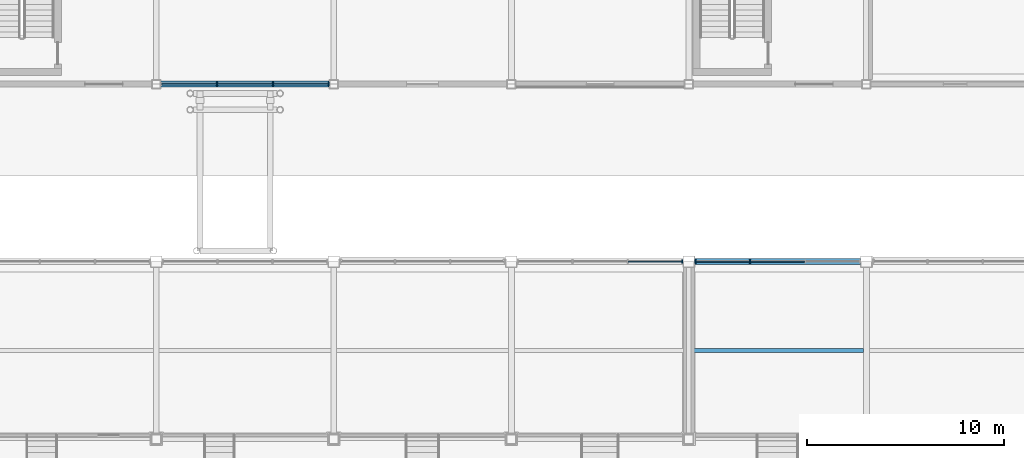
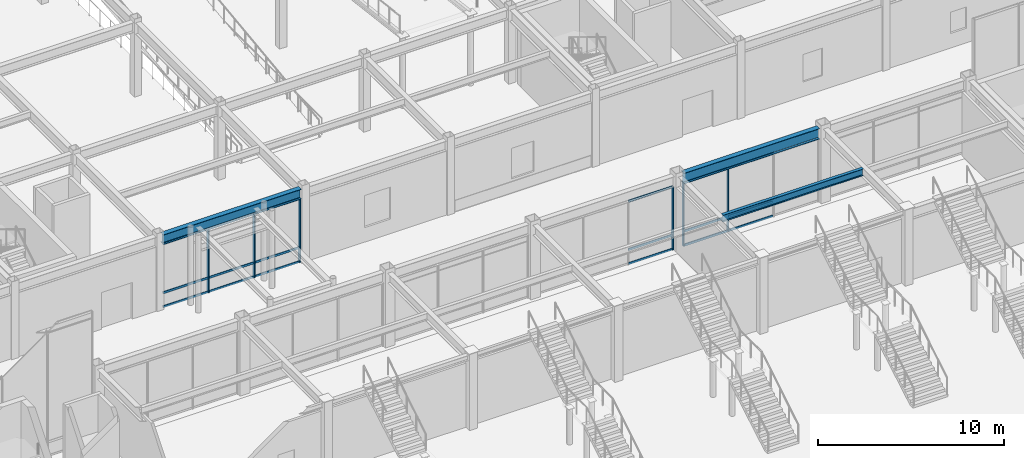
# One storey, part 47 of 123: 24 members, 3 beams, 3 elements without a shape of their own.
"""IFC4 building model written with IfcOpenShell, lengths in metres."""

from ifc_helpers import new_model, si_unit, direction, frame, origin, origin_2d, place, context, subcontext, project, spatial, rectangle, i_section, extrude, material, material_profile, profile_set, type_object, element, aggregate, save


model = new_model("IFC4")

# Units and contexts
model_context = context("Model", 3, precision=1e-05, world=origin(), true_north=direction((0.0, 1.0)))
body_context = subcontext(model_context, "Body", "Model", "MODEL_VIEW")
ifc_project = project(units=[si_unit("LENGTHUNIT", "METRE"), si_unit("AREAUNIT", "SQUARE_METRE"), si_unit("VOLUMEUNIT", "CUBIC_METRE"), si_unit("PLANEANGLEUNIT", "RADIAN"), si_unit("MASSUNIT", "GRAM", prefix="KILO")], contexts=[model_context])

# Site, building, storey
site_placement = place(None, origin())
site = spatial("IfcSite", under=ifc_project, at=site_placement, CompositionType="ELEMENT")
building_placement = place(site_placement, origin())
building = spatial("IfcBuilding", under=site, at=building_placement, Name="Suzunagisa Mobility Hub", CompositionType="ELEMENT")
storey_placement = place(building_placement, origin())
storey = spatial("IfcBuildingStorey", under=building, at=storey_placement, Name="L00", CompositionType="ELEMENT", Elevation=0.0)

# Curtain wall, members
ifc_material_1 = material(Name="Thermally Broken Anodized Aluminum and Low-E Glazing", Category="aluminium")
curtain_wall_type = type_object("IfcCurtainWallType", Name="Unitised Curtain Wall CW-32 8500x4200", PredefinedType="USERDEFINED", material=ifc_material_1)
curtain_wall_1_placement = place(storey_placement, origin())
curtain_wall_1 = element("IfcCurtainWall", 1, at=curtain_wall_1_placement, inside=storey, type_object=curtain_wall_type, Name="L00 Unitised Curtain Wall CW-37", ObjectType="UNITISED CURTAIN WALL", PredefinedType="USERDEFINED")
ifc_material_2 = material(Name="Anodized Aluminum 6063-T6", Category="aluminium")
ifc_material_profile_1 = material_profile(ifc_material_2, rectangle(XDim=0.06494140625, YDim=0.139892578125, at=origin_2d()), Name="TRAN-65x140")
ifc_profile_set_1 = profile_set([ifc_material_profile_1], Name="Anodized Aluminum 6063-T6")
member_type_1 = type_object("IfcMemberType", Name="Curtain Wall Framing CM-01 TRAN-65x140", PredefinedType="USERDEFINED", material=ifc_profile_set_1)
member_1_placement = place(storey_placement, frame((95.869384765625, 71.0, 0.032470703125), z_axis=(-1.0, 0.0, 0.0), x_axis=(0.0, -1.0, 0.0)))
member_1 = element("IfcMember", 2, at=member_1_placement, type_object=member_type_1, Name="Curtain Wall Transom 37-T2.1", ObjectType="TRANSOM", PredefinedType="USERDEFINED", context=body_context, shape_type="SweptSolid", body=[
    extrude(rectangle(XDim=0.06494140625, YDim=0.139892578125, at=origin_2d()), origin(), (0.0, 0.0, 1.0), 2.73876953125),
])
member_2_placement = place(storey_placement, frame((95.869384765625, 71.0, 0.949951171875), z_axis=(-1.0, 0.0, 0.0), x_axis=(0.0, -1.0, 0.0)))
member_2 = element("IfcMember", 3, at=member_2_placement, type_object=member_type_1, Name="Curtain Wall Transom 37-T2.2", ObjectType="TRANSOM", PredefinedType="USERDEFINED", context=body_context, shape_type="SweptSolid", body=[
    extrude(rectangle(XDim=0.06494140625, YDim=0.139892578125, at=origin_2d()), origin(), (0.0, 0.0, 1.0), 2.73876953125),
])
member_3_placement = place(storey_placement, frame((95.869384765625, 71.0, 4.117431640625), z_axis=(-1.0, 0.0, 0.0), x_axis=(0.0, -1.0, 0.0)))
member_3 = element("IfcMember", 4, at=member_3_placement, type_object=member_type_1, Name="Curtain Wall Transom 37-T2.3", ObjectType="TRANSOM", PredefinedType="USERDEFINED", context=body_context, shape_type="SweptSolid", body=[
    extrude(rectangle(XDim=0.06494140625, YDim=0.139892578125, at=origin_2d()), origin(), (0.0, 0.0, 1.0), 2.73876953125),
])
member_4_placement = place(storey_placement, frame((93.069580078125, 71.0, 0.032470703125), z_axis=(-1.0, 0.0, 0.0), x_axis=(0.0, -1.0, 0.0)))
member_4 = element("IfcMember", 5, at=member_4_placement, type_object=member_type_1, Name="Curtain Wall Transom 37-T3.1", ObjectType="TRANSOM", PredefinedType="USERDEFINED", context=body_context, shape_type="SweptSolid", body=[
    extrude(rectangle(XDim=0.06494140625, YDim=0.139892578125, at=origin_2d()), origin(), (0.0, 0.0, 1.0), 2.70654296875),
])
member_5_placement = place(storey_placement, frame((93.069580078125, 71.0, 0.949951171875), z_axis=(-1.0, 0.0, 0.0), x_axis=(0.0, -1.0, 0.0)))
member_5 = element("IfcMember", 6, at=member_5_placement, type_object=member_type_1, Name="Curtain Wall Transom 37-T3.2", ObjectType="TRANSOM", PredefinedType="USERDEFINED", context=body_context, shape_type="SweptSolid", body=[
    extrude(rectangle(XDim=0.06494140625, YDim=0.139892578125, at=origin_2d()), origin(), (0.0, 0.0, 1.0), 2.70654296875),
])
member_6_placement = place(storey_placement, frame((93.069580078125, 71.0, 4.117431640625), z_axis=(-1.0, 0.0, 0.0), x_axis=(0.0, -1.0, 0.0)))
member_6 = element("IfcMember", 7, at=member_6_placement, type_object=member_type_1, Name="Curtain Wall Transom 37-T3.3", ObjectType="TRANSOM", PredefinedType="USERDEFINED", context=body_context, shape_type="SweptSolid", body=[
    extrude(rectangle(XDim=0.06494140625, YDim=0.139892578125, at=origin_2d()), origin(), (0.0, 0.0, 1.0), 2.70654296875),
])

curtain_wall_2_placement = place(storey_placement, origin())
curtain_wall_2 = element("IfcCurtainWall", 8, at=curtain_wall_2_placement, inside=storey, type_object=curtain_wall_type, Name="L00 Unitised Curtain Wall CW-38", ObjectType="UNITISED CURTAIN WALL", PredefinedType="USERDEFINED")
member_7_placement = place(storey_placement, frame((89.636962890625, 71.0, 0.032470703125), z_axis=(-1.0, 0.0, 0.0), x_axis=(0.0, -1.0, 0.0)))
member_7 = element("IfcMember", 9, at=member_7_placement, type_object=member_type_1, Name="Curtain Wall Transom 38-T1.1", ObjectType="TRANSOM", PredefinedType="USERDEFINED", context=body_context, shape_type="SweptSolid", body=[
    extrude(rectangle(XDim=0.06494140625, YDim=0.139892578125, at=origin_2d()), origin(), (0.0, 0.0, 1.0), 2.70654296875),
])
member_8_placement = place(storey_placement, frame((89.636962890625, 71.0, 0.949951171875), z_axis=(-1.0, 0.0, 0.0), x_axis=(0.0, -1.0, 0.0)))
member_8 = element("IfcMember", 10, at=member_8_placement, type_object=member_type_1, Name="Curtain Wall Transom 38-T1.2", ObjectType="TRANSOM", PredefinedType="USERDEFINED", context=body_context, shape_type="SweptSolid", body=[
    extrude(rectangle(XDim=0.06494140625, YDim=0.139892578125, at=origin_2d()), origin(), (0.0, 0.0, 1.0), 2.70654296875),
])
member_9_placement = place(storey_placement, frame((89.636962890625, 71.0, 4.117431640625), z_axis=(-1.0, 0.0, 0.0), x_axis=(0.0, -1.0, 0.0)))
member_9 = element("IfcMember", 11, at=member_9_placement, type_object=member_type_1, Name="Curtain Wall Transom 38-T1.3", ObjectType="TRANSOM", PredefinedType="USERDEFINED", context=body_context, shape_type="SweptSolid", body=[
    extrude(rectangle(XDim=0.06494140625, YDim=0.139892578125, at=origin_2d()), origin(), (0.0, 0.0, 1.0), 2.70654296875),
])

curtain_wall_3_placement = place(storey_placement, origin())
curtain_wall_3 = element("IfcCurtainWall", 12, at=curtain_wall_3_placement, inside=storey, type_object=curtain_wall_type, Name="L00 Unitised Curtain Wall CW-91", ObjectType="UNITISED CURTAIN WALL", PredefinedType="USERDEFINED")
member_10_placement = place(storey_placement, frame((63.2880859375, 80.0, 0.032470703125), z_axis=(1.0, 0.0, 0.0), x_axis=(0.0, 1.0, 0.0)))
member_10 = element("IfcMember", 13, at=member_10_placement, type_object=member_type_1, Name="Curtain Wall Transom 91-T1.1", ObjectType="TRANSOM", PredefinedType="USERDEFINED", context=body_context, shape_type="SweptSolid", body=[
    extrude(rectangle(XDim=0.06494140625, YDim=0.139892578125, at=origin_2d()), origin(), (0.0, 0.0, 1.0), 2.75634765625),
])
member_11_placement = place(storey_placement, frame((63.2880859375, 80.0, 0.949951171875), z_axis=(1.0, 0.0, 0.0), x_axis=(0.0, 1.0, 0.0)))
member_11 = element("IfcMember", 14, at=member_11_placement, type_object=member_type_1, Name="Curtain Wall Transom 91-T1.2", ObjectType="TRANSOM", PredefinedType="USERDEFINED", context=body_context, shape_type="SweptSolid", body=[
    extrude(rectangle(XDim=0.06494140625, YDim=0.139892578125, at=origin_2d()), origin(), (0.0, 0.0, 1.0), 2.75634765625),
])
member_12_placement = place(storey_placement, frame((63.2880859375, 80.0, 4.157470703125), z_axis=(1.0, 0.0, 0.0), x_axis=(0.0, 1.0, 0.0)))
member_12 = element("IfcMember", 15, at=member_12_placement, type_object=member_type_1, Name="Curtain Wall Transom 91-T1.3", ObjectType="TRANSOM", PredefinedType="USERDEFINED", context=body_context, shape_type="SweptSolid", body=[
    extrude(rectangle(XDim=0.06494140625, YDim=0.139892578125, at=origin_2d()), origin(), (0.0, 0.0, 1.0), 2.75634765625),
])
member_13_placement = place(storey_placement, frame((66.10546875, 80.0, 0.032470703125), z_axis=(1.0, 0.0, 0.0), x_axis=(0.0, 1.0, 0.0)))
member_13 = element("IfcMember", 16, at=member_13_placement, type_object=member_type_1, Name="Curtain Wall Transom 91-T2.1", ObjectType="TRANSOM", PredefinedType="USERDEFINED", context=body_context, shape_type="SweptSolid", body=[
    extrude(rectangle(XDim=0.06494140625, YDim=0.139892578125, at=origin_2d()), origin(), (0.0, 0.0, 1.0), 2.7890625),
])
member_14_placement = place(storey_placement, frame((66.10546875, 80.0, 0.949951171875), z_axis=(1.0, 0.0, 0.0), x_axis=(0.0, 1.0, 0.0)))
member_14 = element("IfcMember", 17, at=member_14_placement, type_object=member_type_1, Name="Curtain Wall Transom 91-T2.2", ObjectType="TRANSOM", PredefinedType="USERDEFINED", context=body_context, shape_type="SweptSolid", body=[
    extrude(rectangle(XDim=0.06494140625, YDim=0.139892578125, at=origin_2d()), origin(), (0.0, 0.0, 1.0), 2.7890625),
])
member_15_placement = place(storey_placement, frame((66.10546875, 80.0, 4.157470703125), z_axis=(1.0, 0.0, 0.0), x_axis=(0.0, 1.0, 0.0)))
member_15 = element("IfcMember", 18, at=member_15_placement, type_object=member_type_1, Name="Curtain Wall Transom 91-T2.3", ObjectType="TRANSOM", PredefinedType="USERDEFINED", context=body_context, shape_type="SweptSolid", body=[
    extrude(rectangle(XDim=0.06494140625, YDim=0.139892578125, at=origin_2d()), origin(), (0.0, 0.0, 1.0), 2.7890625),
])
member_16_placement = place(storey_placement, frame((68.95556640625, 80.0, 0.032470703125), z_axis=(1.0, 0.0, 0.0), x_axis=(0.0, 1.0, 0.0)))
member_16 = element("IfcMember", 19, at=member_16_placement, type_object=member_type_1, Name="Curtain Wall Transom 91-T3.1", ObjectType="TRANSOM", PredefinedType="USERDEFINED", context=body_context, shape_type="SweptSolid", body=[
    extrude(rectangle(XDim=0.06494140625, YDim=0.139892578125, at=origin_2d()), origin(), (0.0, 0.0, 1.0), 2.75634765625),
])
member_17_placement = place(storey_placement, frame((68.95556640625, 80.0, 0.949951171875), z_axis=(1.0, 0.0, 0.0), x_axis=(0.0, 1.0, 0.0)))
member_17 = element("IfcMember", 20, at=member_17_placement, type_object=member_type_1, Name="Curtain Wall Transom 91-T3.2", ObjectType="TRANSOM", PredefinedType="USERDEFINED", context=body_context, shape_type="SweptSolid", body=[
    extrude(rectangle(XDim=0.06494140625, YDim=0.139892578125, at=origin_2d()), origin(), (0.0, 0.0, 1.0), 2.75634765625),
])
member_18_placement = place(storey_placement, frame((68.95556640625, 80.0, 4.157470703125), z_axis=(1.0, 0.0, 0.0), x_axis=(0.0, 1.0, 0.0)))
member_18 = element("IfcMember", 21, at=member_18_placement, type_object=member_type_1, Name="Curtain Wall Transom 91-T3.3", ObjectType="TRANSOM", PredefinedType="USERDEFINED", context=body_context, shape_type="SweptSolid", body=[
    extrude(rectangle(XDim=0.06494140625, YDim=0.139892578125, at=origin_2d()), origin(), (0.0, 0.0, 1.0), 2.75634765625),
])

# Member
ifc_material_profile_2 = material_profile(ifc_material_2, rectangle(XDim=0.06494140625, YDim=0.179931640625, at=origin_2d()), Name="MULL-65x180")
ifc_profile_set_2 = profile_set([ifc_material_profile_2], Name="Anodized Aluminum 6063-T6")
member_type_2 = type_object("IfcMemberType", Name="Curtain Wall Framing CM-04 MULL-65x180", PredefinedType="MULLION", material=ifc_profile_set_2)
member_19_placement = place(storey_placement, frame((93.10009765625, 71.0, 0.0), z_axis=(0.0, 0.0, 1.0), x_axis=(-1.0, 0.0, 0.0)))
member_19 = element("IfcMember", 22, at=member_19_placement, type_object=member_type_2, Name="Curtain Wall Mullion 37-M3", PredefinedType="MULLION", context=body_context, shape_type="SweptSolid", body=[
    extrude(rectangle(XDim=0.06494140625, YDim=0.179931640625, at=origin_2d()), origin(), (0.0, 0.0, 1.0), 4.14990234375),
])

member_20_placement = place(storey_placement, frame((90.33251953125, 71.0, 0.0), z_axis=(0.0, 0.0, 1.0), x_axis=(-1.0, 0.0, 0.0)))
member_20 = element("IfcMember", 23, at=member_20_placement, type_object=member_type_2, Name="Curtain Wall Mullion 37-M4", PredefinedType="MULLION", context=body_context, shape_type="SweptSolid", body=[
    extrude(rectangle(XDim=0.06494140625, YDim=0.179931640625, at=origin_2d()), origin(), (0.0, 0.0, 1.0), 4.14990234375),
])

aggregate(curtain_wall_1, [member_19, member_20, member_1, member_2, member_3, member_4, member_5, member_6])

member_21_placement = place(storey_placement, frame((89.66748046875, 71.0, 0.0), z_axis=(0.0, 0.0, 1.0), x_axis=(-1.0, 0.0, 0.0)))
member_21 = element("IfcMember", 24, at=member_21_placement, type_object=member_type_2, Name="Curtain Wall Mullion 38-M1", PredefinedType="MULLION", context=body_context, shape_type="SweptSolid", body=[
    extrude(rectangle(XDim=0.06494140625, YDim=0.179931640625, at=origin_2d()), origin(), (0.0, 0.0, 1.0), 4.14990234375),
])

aggregate(curtain_wall_2, [member_21, member_7, member_8, member_9])

member_22_placement = place(storey_placement, frame((66.074951171875, 80.0, 0.0), z_axis=(0.0, 0.0, 1.0), x_axis=(1.0, 0.0, 0.0)))
member_22 = element("IfcMember", 25, at=member_22_placement, type_object=member_type_2, Name="Curtain Wall Mullion 91-M2", PredefinedType="MULLION", context=body_context, shape_type="SweptSolid", body=[
    extrude(rectangle(XDim=0.06494140625, YDim=0.179931640625, at=origin_2d()), origin(), (0.0, 0.0, 1.0), 4.18994140625),
])

member_23_placement = place(storey_placement, frame((68.925048828125, 80.0, 0.0), z_axis=(0.0, 0.0, 1.0), x_axis=(1.0, 0.0, 0.0)))
member_23 = element("IfcMember", 26, at=member_23_placement, type_object=member_type_2, Name="Curtain Wall Mullion 91-M3", PredefinedType="MULLION", context=body_context, shape_type="SweptSolid", body=[
    extrude(rectangle(XDim=0.06494140625, YDim=0.179931640625, at=origin_2d()), origin(), (0.0, 0.0, 1.0), 4.18994140625),
])

member_24_placement = place(storey_placement, frame((71.742431640625, 80.0, 0.0), z_axis=(0.0, 0.0, 1.0), x_axis=(1.0, 0.0, 0.0)))
member_24 = element("IfcMember", 27, at=member_24_placement, type_object=member_type_2, Name="Curtain Wall Mullion 91-M4", PredefinedType="MULLION", context=body_context, shape_type="SweptSolid", body=[
    extrude(rectangle(XDim=0.06494140625, YDim=0.179931640625, at=origin_2d()), origin(), (0.0, 0.0, 1.0), 4.18994140625),
])

aggregate(curtain_wall_3, [member_22, member_23, member_24, member_10, member_11, member_12, member_13, member_14, member_15, member_16, member_17, member_18])

# Beams
ifc_material_3 = material(Name="Steel SN400B", Category="steel")
ifc_material_profile_3 = material_profile(ifc_material_3, i_section(OverallWidth=0.199951171875, OverallDepth=0.449951171875, WebThickness=0.009033203125, FlangeThickness=0.013916015625, FilletRadius=0.012939453125, at=origin_2d()), Name="H-450x200x9x14")
ifc_profile_set_3 = profile_set([ifc_material_profile_3], Name="Steel SN400B")
beam_type_1 = type_object("IfcBeamType", Name="Steel Beam BM-05 H-450x200x9x14", PredefinedType="JOIST", material=ifc_profile_set_3)
beam_1_placement = place(storey_placement, frame((90.14990234375, 66.5, 4.625), z_axis=(1.0, 0.0, 0.0), x_axis=(0.0, 1.0, 0.0)))
element("IfcBeam", 28, at=beam_1_placement, inside=storey, type_object=beam_type_1, Name="L00 Composite Floor Joist J-411", PredefinedType="JOIST", context=body_context, shape_type="SweptSolid", body=[
    extrude(i_section(OverallWidth=0.199951171875, OverallDepth=0.449951171875, WebThickness=0.009033203125, FlangeThickness=0.013916015625, FilletRadius=0.012939453125, at=origin_2d()), origin(), (0.0, 0.0, 1.0), 8.7001953125),
])
ifc_material_4 = material(Name="Steel SN490B", Category="steel")
ifc_material_profile_4 = material_profile(ifc_material_4, i_section(OverallWidth=0.300048828125, OverallDepth=0.64990234375, WebThickness=0.012939453125, FlangeThickness=0.02197265625, FilletRadius=0.01611328125, at=origin_2d()), Name="H-650x300x13x22")
ifc_profile_set_4 = profile_set([ifc_material_profile_4], Name="Steel SN490B")
beam_type_2 = type_object("IfcBeamType", Name="Steel Beam BM-10 H-650x300x13x22", PredefinedType="BEAM", material=ifc_profile_set_4)
beam_2_placement = place(storey_placement, frame((63.220947265625, 80.0, 4.514892578125), z_axis=(1.0, 0.0, 0.0), x_axis=(0.0, 1.0, 0.0)))
element("IfcBeam", 29, at=beam_2_placement, inside=storey, type_object=beam_type_2, Name="L00 Primary Girder GX-704", PredefinedType="BEAM", context=body_context, shape_type="SweptSolid", body=[
    extrude(i_section(OverallWidth=0.300048828125, OverallDepth=0.64990234375, WebThickness=0.012939453125, FlangeThickness=0.02197265625, FilletRadius=0.01611328125, at=origin_2d()), origin(), (0.0, 0.0, 1.0), 8.55810546875),
])
ifc_material_profile_5 = material_profile(ifc_material_4, i_section(OverallWidth=0.300048828125, OverallDepth=0.699951171875, WebThickness=0.012939453125, FlangeThickness=0.02392578125, FilletRadius=0.01806640625, at=origin_2d()), Name="H-700x300x13x24")
ifc_profile_set_5 = profile_set([ifc_material_profile_5], Name="Steel SN490B")
beam_type_3 = type_object("IfcBeamType", Name="Steel Beam BM-11 H-700x300x13x24", PredefinedType="BEAM", material=ifc_profile_set_5)
beam_3_placement = place(storey_placement, frame((90.2958984375, 71.0, 4.5), z_axis=(1.0, 0.0, 0.0), x_axis=(0.0, 1.0, 0.0)))
element("IfcBeam", 30, at=beam_3_placement, inside=storey, type_object=beam_type_3, Name="L00 Primary Girder GX-398", PredefinedType="BEAM", context=body_context, shape_type="SweptSolid", body=[
    extrude(i_section(OverallWidth=0.300048828125, OverallDepth=0.699951171875, WebThickness=0.012939453125, FlangeThickness=0.02392578125, FilletRadius=0.01806640625, at=origin_2d()), origin(), (0.0, 0.0, 1.0), 8.408203125),
])

save(model, "model.ifc")
